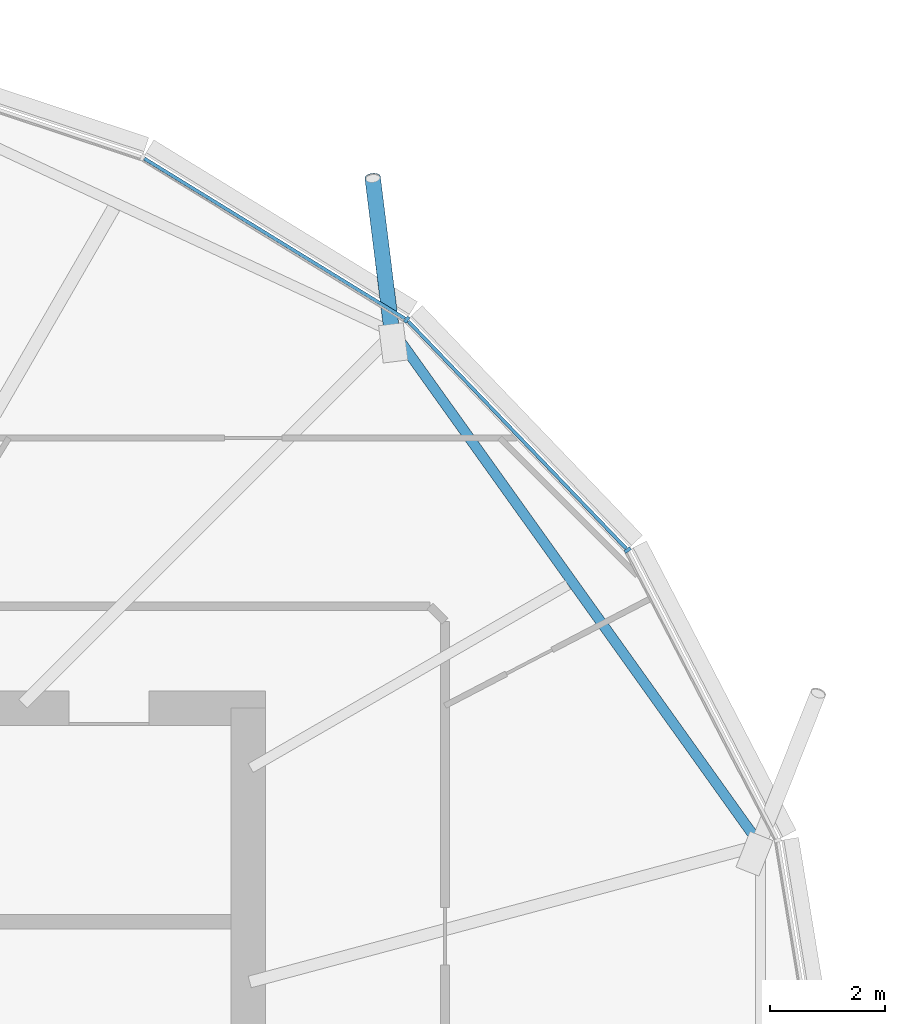
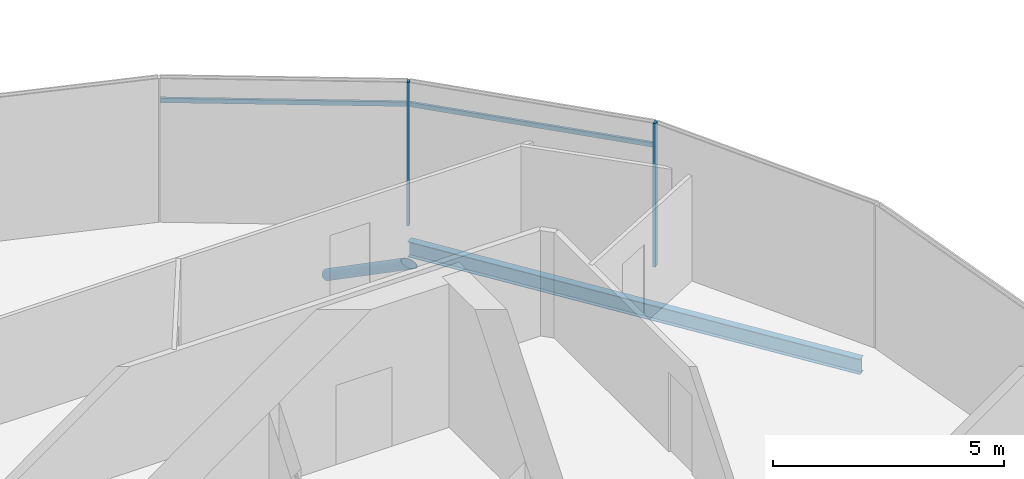
# One storey, part 10 of 37: 5 members, 1 beam, 1 element without a shape of its own.
"""IFC4 building model written with IfcOpenShell, lengths in metres."""

from ifc_helpers import new_model, si_unit, direction, frame, origin, origin_2d, place, context, subcontext, project, spatial, rectangle, hollow_circle, i_section, extrude, clip, halfspace, material, material_profile, profile_set, type_object, element, aggregate, save


model = new_model("IFC4")

# Units and contexts
model_context = context("Model", 3, precision=1e-05, world=origin(), true_north=direction((0.0, 1.0)))
body_context = subcontext(model_context, "Body", "Model", "MODEL_VIEW")
ifc_project = project(units=[si_unit("LENGTHUNIT", "METRE"), si_unit("AREAUNIT", "SQUARE_METRE"), si_unit("VOLUMEUNIT", "CUBIC_METRE"), si_unit("PLANEANGLEUNIT", "RADIAN"), si_unit("MASSUNIT", "GRAM", prefix="KILO")], contexts=[model_context])

# Site, building, storey
site_placement = place(None, origin())
site = spatial("IfcSite", under=ifc_project, at=site_placement, CompositionType="ELEMENT")
building_placement = place(site_placement, origin())
building = spatial("IfcBuilding", under=site, at=building_placement, Name="Rimbun Link Towers", CompositionType="ELEMENT")
storey_placement = place(building_placement, frame((0.0, 0.0, 177.89990234375)))
storey = spatial("IfcBuildingStorey", under=building, at=storey_placement, Name="L43", CompositionType="ELEMENT", Elevation=177.89990234375)

# Curtain wall, members
ifc_material_1 = material(Name="Aluminium 6063-T6 and low-iron glass", Category="aluminium")
curtain_wall_type = type_object("IfcCurtainWallType", Name="CW1-Z3 unitised vision wall (zone 3)", PredefinedType="NOTDEFINED", material=ifc_material_1)
curtain_wall_placement = place(storey_placement, origin())
curtain_wall = element("IfcCurtainWall", 1, at=curtain_wall_placement, inside=storey, type_object=curtain_wall_type, Name="CW1 L43 T1", PredefinedType="NOTDEFINED")
ifc_material_2 = material(Name="Aluminium 6063-T6", Category="aluminium")
ifc_material_profile_1 = material_profile(ifc_material_2, rectangle(XDim=0.1201171875, YDim=0.06005859375, at=origin_2d()), Name="MULLION 60X120")
ifc_profile_set_1 = profile_set([ifc_material_profile_1], Name="Aluminium 6063-T6")
member_type_1 = type_object("IfcMemberType", Name="CW1 mullion 60X120", PredefinedType="MULLION", material=ifc_profile_set_1)
member_1_placement = place(storey_placement, frame((-13.127685546875, 10.75830078125, 0.0), z_axis=(0.0, 0.0, 1.0), x_axis=(0.813350034024, 0.581774631754, 0.0)))
member_1 = element("IfcMember", 2, at=member_1_placement, type_object=member_type_1, Name="CW1 mullion", PredefinedType="MULLION", context=body_context, shape_type="SweptSolid", body=[
    extrude(rectangle(XDim=0.1201171875, YDim=0.06005859375, at=origin_2d()), origin(), (0.0, 0.0, 1.0), 3.800048828125),
])
member_2_placement = place(storey_placement, frame((-16.98095703125, 14.778076171875, 0.0), z_axis=(0.0, 0.0, 1.0), x_axis=(0.627671105002, 0.778478634225, 0.0)))
member_2 = element("IfcMember", 3, at=member_2_placement, type_object=member_type_1, Name="CW1 mullion", PredefinedType="MULLION", context=body_context, shape_type="SweptSolid", body=[
    extrude(rectangle(XDim=0.1201171875, YDim=0.06005859375, at=origin_2d()), origin(), (0.0, 0.0, 1.0), 3.800048828125),
])
ifc_material_3 = material(Name="Aluminium 6063-T6", Category="aluminium")
ifc_material_profile_2 = material_profile(ifc_material_3, rectangle(XDim=0.06005859375, YDim=0.1201171875, at=origin_2d()), Name="TRANSOM 60X120")
ifc_profile_set_2 = profile_set([ifc_material_profile_2], Name="Aluminium 6063-T6")
member_type_2 = type_object("IfcMemberType", Name="CW1 transom 60X120", PredefinedType="USERDEFINED", material=ifc_profile_set_2)
member_3_placement = place(storey_placement, frame((-16.9560546875, 14.749755859375, 3.2001953125), z_axis=(0.692057899001, -0.721841994089, 0.0), x_axis=(0.721841994089, 0.692057899001, 0.0)))
member_3 = element("IfcMember", 4, at=member_3_placement, type_object=member_type_2, Name="CW1 transom", ObjectType="TRANSOM", PredefinedType="USERDEFINED", context=body_context, shape_type="SweptSolid", body=[
    extrude(rectangle(XDim=0.06005859375, YDim=0.1201171875, at=origin_2d()), origin(), (0.0, 0.0, 1.0), 5.491943359375),
])
member_4_placement = place(storey_placement, frame((-21.5595703125, 17.58740234375, 3.2001953125), z_axis=(0.852185905649, -0.523239125269, 0.0), x_axis=(0.523239125269, 0.852185905649, 0.0)))
member_4 = element("IfcMember", 5, at=member_4_placement, type_object=member_type_2, Name="CW1 transom", ObjectType="TRANSOM", PredefinedType="USERDEFINED", context=body_context, shape_type="SweptSolid", body=[
    extrude(rectangle(XDim=0.06005859375, YDim=0.1201171875, at=origin_2d()), origin(), (0.0, 0.0, 1.0), 5.334228515625),
])
aggregate(curtain_wall, [member_1, member_2, member_3, member_4])

# Member
ifc_material_4 = material(Name="Steel S355J2H", Category="steel")
ifc_material_profile_3 = material_profile(ifc_material_4, hollow_circle(Radius=0.136474609375, WallThickness=0.012451171875, at=origin_2d()), Name="CHS 273x12.5")
ifc_profile_set_3 = profile_set([ifc_material_profile_3], Name="Steel S355J2H")
member_type_3 = type_object("IfcMemberType", Name="Floor edge link CHS 273x12.5", PredefinedType="BRACE", material=ifc_profile_set_3)
member_5_placement = place(storey_placement, frame((-17.23583984375, 14.51416015625, -0.797119140625), z_axis=(-0.102927779601, 0.828288449885, -0.550766843568), x_axis=(-0.992367312341, -0.123317141537, 0.0)))
element("IfcMember", 6, at=member_5_placement, inside=storey, type_object=member_type_3, Name="Floor edge link T1 L43 03", PredefinedType="BRACE", context=body_context, shape_type="Clipping", body=[
    clip(extrude(hollow_circle(Radius=0.136474609375, WallThickness=0.012451171875, at=origin_2d()), frame((0.0, 0.0, -0.431884765625)), (0.0, 0.0, 1.0), 3.7431640625), halfspace(frame((0.0, 0.0, -0.20361328125), z_axis=(0.0, 0.834659142421, -0.550766843568)), False)),
])

# Beam
ifc_material_5 = material(Name="Steel S355J2", Category="steel")
ifc_material_profile_4 = material_profile(ifc_material_5, i_section(OverallWidth=0.177978515625, OverallDepth=0.406494140625, WebThickness=0.0078125, FlangeThickness=0.0126953125, at=origin_2d()), Name="UB 406x178x60")
ifc_profile_set_4 = profile_set([ifc_material_profile_4], Name="Steel S355J2")
beam_type = type_object("IfcBeamType", Name="UB 406x178x60", PredefinedType="BEAM", material=ifc_profile_set_4)
beam_placement = place(storey_placement, frame((-10.877685546875, 5.701904296875, -0.35302734375), z_axis=(-0.581422632699, 0.813601697506, 0.0), x_axis=(-0.813601697506, -0.581422632699, 0.0)))
element("IfcBeam", 7, at=beam_placement, inside=storey, type_object=beam_type, Name="Edge beam T1 L43 01-03", PredefinedType="BEAM", context=body_context, shape_type="SweptSolid", body=[
    extrude(i_section(OverallWidth=0.177978515625, OverallDepth=0.406494140625, WebThickness=0.0078125, FlangeThickness=0.0126953125, at=origin_2d()), origin(), (0.0, 0.0, 1.0), 10.767578125),
])

save(model, "model.ifc")
